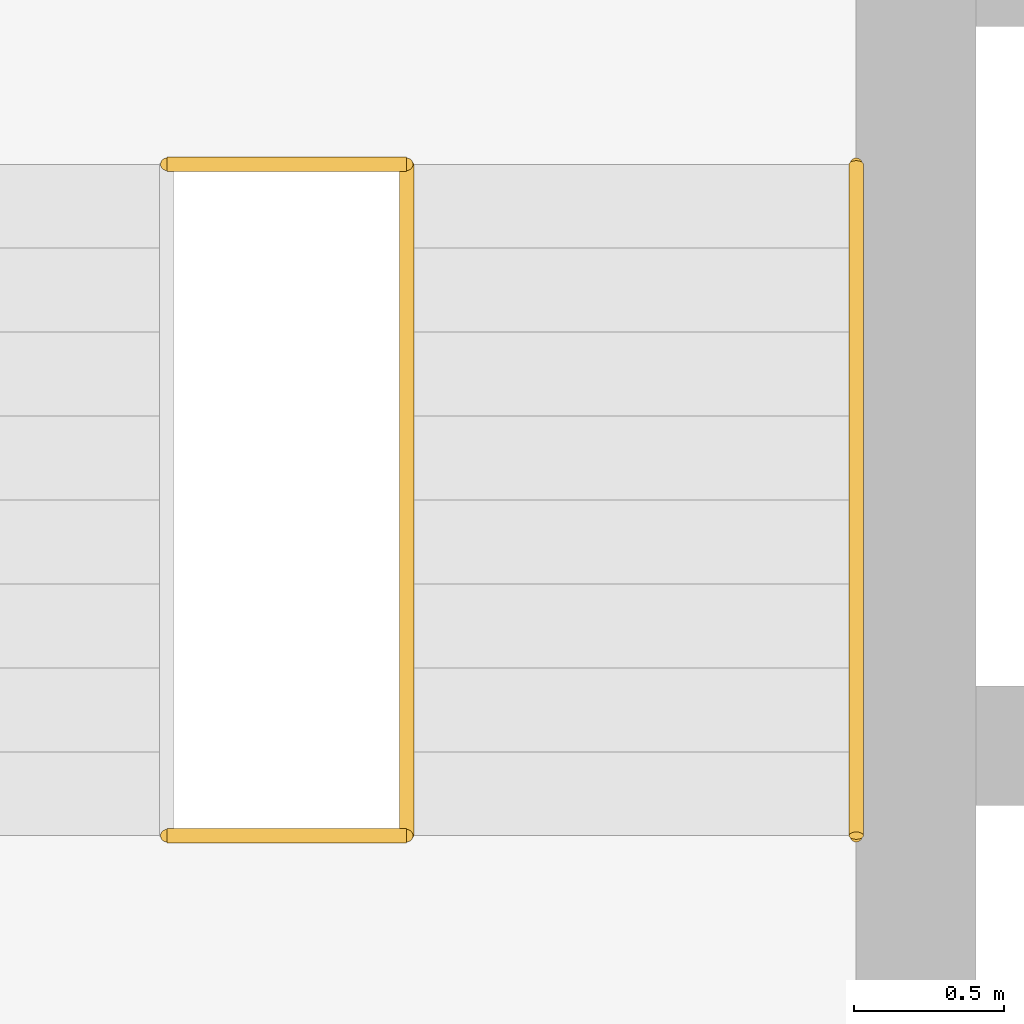
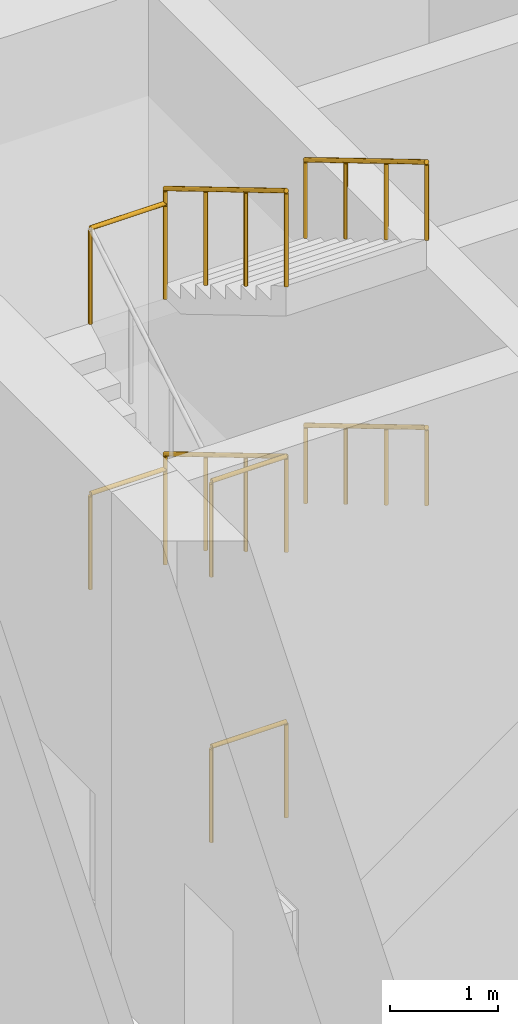
# One storey, part 29 of 32: 8 railings, 1 element without a shape of its own.
"""IFC4 building model written with IfcOpenShell, lengths in metres."""

from ifc_helpers import new_model, si_unit, direction, frame, origin, origin_2d, place, context, subcontext, project, spatial, circle, extrude, material, type_object, element, aggregate, save


model = new_model("IFC4")

# Units and contexts
model_context = context("Model", 3, precision=1e-05, world=origin(), true_north=direction((0.0, 1.0)))
body_context = subcontext(model_context, "Body", "Model", "MODEL_VIEW")
ifc_project = project(units=[si_unit("LENGTHUNIT", "METRE"), si_unit("AREAUNIT", "SQUARE_METRE"), si_unit("VOLUMEUNIT", "CUBIC_METRE"), si_unit("PLANEANGLEUNIT", "RADIAN"), si_unit("MASSUNIT", "GRAM", prefix="KILO")], contexts=[model_context])

# Site, building, storey
site_placement = place(None, origin())
site = spatial("IfcSite", under=ifc_project, at=site_placement, CompositionType="ELEMENT")
building_placement = place(site_placement, origin())
building = spatial("IfcBuilding", under=site, at=building_placement, Name="Ludao Terraces", CompositionType="ELEMENT")
storey_placement = place(building_placement, origin())
storey = spatial("IfcBuildingStorey", under=building, at=storey_placement, Name="L00", CompositionType="ELEMENT", Elevation=0.0)

# Stair, railings
ifc_material_1 = material(Name="Concrete C40", Category="concrete")
stair_type = type_object("IfcStairType", Name="INT Stair", PredefinedType="HALF_TURN_STAIR", material=ifc_material_1)
stair_placement = place(storey_placement, origin())
stair = element("IfcStair", 1, at=stair_placement, inside=storey, type_object=stair_type, Name="EXIT STAIR 1", PredefinedType="HALF_TURN_STAIR")
ifc_material_2 = material(Name="Stainless steel 304", Category="steel")
railing_type_1 = type_object("IfcRailingType", Name="INT Stair guard 1100", PredefinedType="GUARDRAIL", material=ifc_material_2)
railing_1_placement = place(storey_placement, frame((77.75, 81.239990234375, 1.666748046875)))
railing_1 = element("IfcRailing", 2, at=railing_1_placement, type_object=railing_type_1, Name="ST-L00-S1-R2G", PredefinedType="GUARDRAIL", context=body_context, shape_type="SweptSolid", body=[
    extrude(circle(Radius=0.02392578125, at=origin_2d()), frame((0.0, 0.0, 1.076171875), z_axis=(0.0, -0.859305625298, 0.511462454469), x_axis=(1.0, 0.0, 0.0)), (0.0, 0.0, 1.0), 2.606689453125),
    extrude(circle(Radius=0.02099609375, at=origin_2d()), origin(), (0.0, 0.0, 1.0), 1.052001953125),
    extrude(circle(Radius=0.02099609375, at=origin_2d()), frame((0.0, -0.74658203125, 0.4443359375)), (0.0, 0.0, 1.0), 1.052001953125),
    extrude(circle(Radius=0.02099609375, at=origin_2d()), frame((0.0, -1.493408203125, 0.888916015625)), (0.0, 0.0, 1.0), 1.052001953125),
    extrude(circle(Radius=0.02099609375, at=origin_2d()), frame((0.0, -2.239990234375, 1.333251953125)), (0.0, 0.0, 1.0), 1.052001953125),
])
railing_2_placement = place(storey_placement, frame((77.75, 81.239990234375, 4.666748046875)))
railing_2 = element("IfcRailing", 3, at=railing_2_placement, type_object=railing_type_1, Name="ST-L00-S1-R4G", PredefinedType="GUARDRAIL", context=body_context, shape_type="SweptSolid", body=[
    extrude(circle(Radius=0.02392578125, at=origin_2d()), frame((0.0, 0.0, 1.076171875), z_axis=(0.0, -0.859305625298, 0.511462454469), x_axis=(1.0, 0.0, 0.0)), (0.0, 0.0, 1.0), 2.606689453125),
    extrude(circle(Radius=0.02099609375, at=origin_2d()), origin(), (0.0, 0.0, 1.0), 1.052001953125),
    extrude(circle(Radius=0.02099609375, at=origin_2d()), frame((0.0, -0.74658203125, 0.4443359375)), (0.0, 0.0, 1.0), 1.052001953125),
    extrude(circle(Radius=0.02099609375, at=origin_2d()), frame((0.0, -1.493408203125, 0.888916015625)), (0.0, 0.0, 1.0), 1.052001953125),
    extrude(circle(Radius=0.02099609375, at=origin_2d()), frame((0.0, -2.239990234375, 1.333251953125)), (0.0, 0.0, 1.0), 1.052001953125),
])
railing_3_placement = place(storey_placement, frame((76.949951171875, 81.239990234375, 1.5)))
railing_3 = element("IfcRailing", 4, at=railing_3_placement, type_object=railing_type_1, Name="ST-L00-S1-E1G", PredefinedType="GUARDRAIL", context=body_context, shape_type="SweptSolid", body=[
    extrude(circle(Radius=0.02392578125, at=origin_2d()), frame((0.0, 0.0, 1.076171875), z_axis=(1.0, 0.0, 0.0), x_axis=(0.0, 1.0, 0.0)), (0.0, 0.0, 1.0), 0.800048828125),
    extrude(circle(Radius=0.02099609375, at=origin_2d()), origin(), (0.0, 0.0, 1.0), 1.052001953125),
    extrude(circle(Radius=0.02099609375, at=origin_2d()), frame((0.800048828125, 0.0, 0.0)), (0.0, 0.0, 1.0), 1.052001953125),
])
railing_4_placement = place(storey_placement, frame((76.949951171875, 79.0, 3.0)))
railing_4 = element("IfcRailing", 5, at=railing_4_placement, type_object=railing_type_1, Name="ST-L00-S1-E2G", PredefinedType="GUARDRAIL", context=body_context, shape_type="SweptSolid", body=[
    extrude(circle(Radius=0.02392578125, at=origin_2d()), frame((0.0, 0.0, 1.076171875), z_axis=(1.0, 0.0, 0.0), x_axis=(0.0, 1.0, 0.0)), (0.0, 0.0, 1.0), 0.800048828125),
    extrude(circle(Radius=0.02099609375, at=origin_2d()), origin(), (0.0, 0.0, 1.0), 1.052001953125),
    extrude(circle(Radius=0.02099609375, at=origin_2d()), frame((0.800048828125, 0.0, 0.0)), (0.0, 0.0, 1.0), 1.052001953125),
])
railing_5_placement = place(storey_placement, frame((76.949951171875, 81.239990234375, 4.5)))
railing_5 = element("IfcRailing", 6, at=railing_5_placement, type_object=railing_type_1, Name="ST-L00-S1-E3G", PredefinedType="GUARDRAIL", context=body_context, shape_type="SweptSolid", body=[
    extrude(circle(Radius=0.02392578125, at=origin_2d()), frame((0.0, 0.0, 1.076171875), z_axis=(1.0, 0.0, 0.0), x_axis=(0.0, 1.0, 0.0)), (0.0, 0.0, 1.0), 0.800048828125),
    extrude(circle(Radius=0.02099609375, at=origin_2d()), origin(), (0.0, 0.0, 1.0), 1.052001953125),
    extrude(circle(Radius=0.02099609375, at=origin_2d()), frame((0.800048828125, 0.0, 0.0)), (0.0, 0.0, 1.0), 1.052001953125),
])
railing_6_placement = place(storey_placement, frame((76.949951171875, 79.0, 0.0)))
railing_6 = element("IfcRailing", 7, at=railing_6_placement, type_object=railing_type_1, Name="ST-L00-S1-E4G", PredefinedType="GUARDRAIL", context=body_context, shape_type="SweptSolid", body=[
    extrude(circle(Radius=0.02392578125, at=origin_2d()), frame((0.0, 0.0, 1.076171875), z_axis=(1.0, 0.0, 0.0), x_axis=(0.0, 1.0, 0.0)), (0.0, 0.0, 1.0), 0.800048828125),
    extrude(circle(Radius=0.02099609375, at=origin_2d()), origin(), (0.0, 0.0, 1.0), 1.052001953125),
    extrude(circle(Radius=0.02099609375, at=origin_2d()), frame((0.800048828125, 0.0, 0.0)), (0.0, 0.0, 1.0), 1.052001953125),
])
railing_type_2 = type_object("IfcRailingType", Name="INT Stair handrail 900", PredefinedType="HANDRAIL", material=ifc_material_2)
railing_7_placement = place(storey_placement, frame((79.25, 81.239990234375, 1.666748046875)))
railing_7 = element("IfcRailing", 8, at=railing_7_placement, type_object=railing_type_2, Name="ST-L00-S1-R2H", PredefinedType="HANDRAIL", context=body_context, shape_type="SweptSolid", body=[
    extrude(circle(Radius=0.02392578125, at=origin_2d()), frame((0.0, 0.0, 0.8759765625), z_axis=(0.0, -0.859305625298, 0.511462454469), x_axis=(1.0, 0.0, 0.0)), (0.0, 0.0, 1.0), 2.606689453125),
    extrude(circle(Radius=0.02099609375, at=origin_2d()), origin(), (0.0, 0.0, 1.0), 0.851806640625),
    extrude(circle(Radius=0.02099609375, at=origin_2d()), frame((0.0, -0.74658203125, 0.4443359375)), (0.0, 0.0, 1.0), 0.851806640625),
    extrude(circle(Radius=0.02099609375, at=origin_2d()), frame((0.0, -1.493408203125, 0.888916015625)), (0.0, 0.0, 1.0), 0.851806640625),
    extrude(circle(Radius=0.02099609375, at=origin_2d()), frame((0.0, -2.239990234375, 1.333251953125)), (0.0, 0.0, 1.0), 0.851806640625),
])
railing_8_placement = place(storey_placement, frame((79.25, 81.239990234375, 4.666748046875)))
railing_8 = element("IfcRailing", 9, at=railing_8_placement, type_object=railing_type_2, Name="ST-L00-S1-R4H", PredefinedType="HANDRAIL", context=body_context, shape_type="SweptSolid", body=[
    extrude(circle(Radius=0.02392578125, at=origin_2d()), frame((0.0, 0.0, 0.8759765625), z_axis=(0.0, -0.859305625298, 0.511462454469), x_axis=(1.0, 0.0, 0.0)), (0.0, 0.0, 1.0), 2.606689453125),
    extrude(circle(Radius=0.02099609375, at=origin_2d()), origin(), (0.0, 0.0, 1.0), 0.851806640625),
    extrude(circle(Radius=0.02099609375, at=origin_2d()), frame((0.0, -0.74658203125, 0.4443359375)), (0.0, 0.0, 1.0), 0.851806640625),
    extrude(circle(Radius=0.02099609375, at=origin_2d()), frame((0.0, -1.493408203125, 0.888916015625)), (0.0, 0.0, 1.0), 0.851806640625),
    extrude(circle(Radius=0.02099609375, at=origin_2d()), frame((0.0, -2.239990234375, 1.333251953125)), (0.0, 0.0, 1.0), 0.851806640625),
])
aggregate(stair, [railing_1, railing_7, railing_2, railing_8, railing_3, railing_4, railing_5, railing_6])

save(model, "model.ifc")
